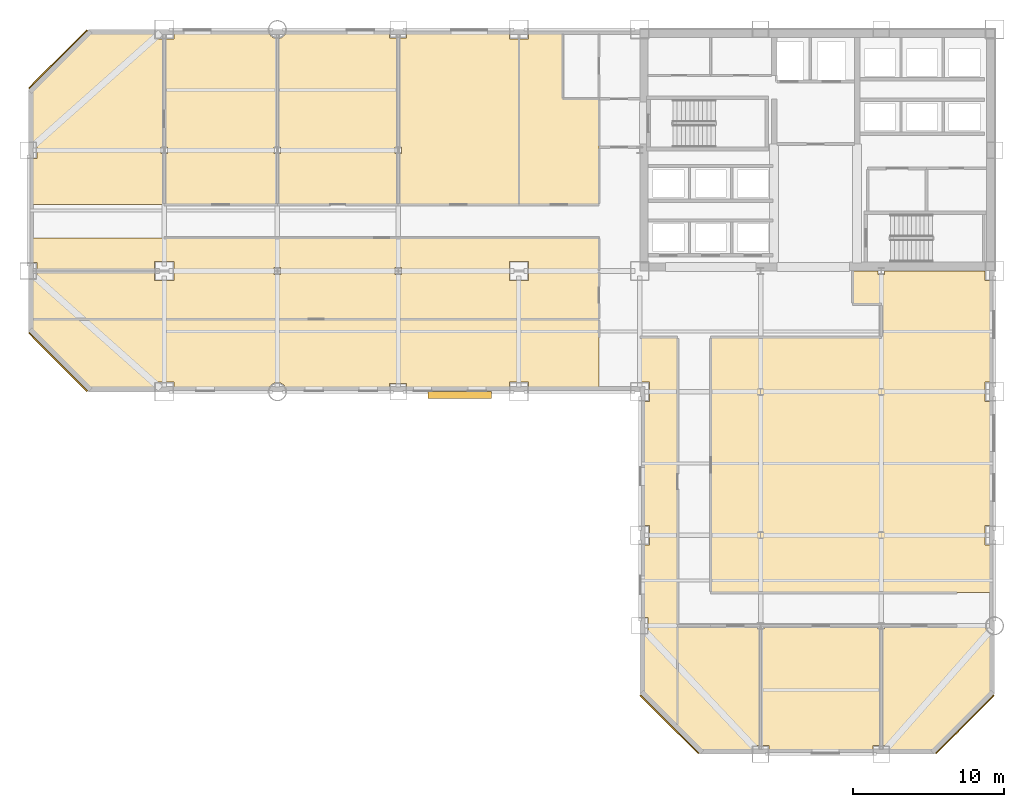
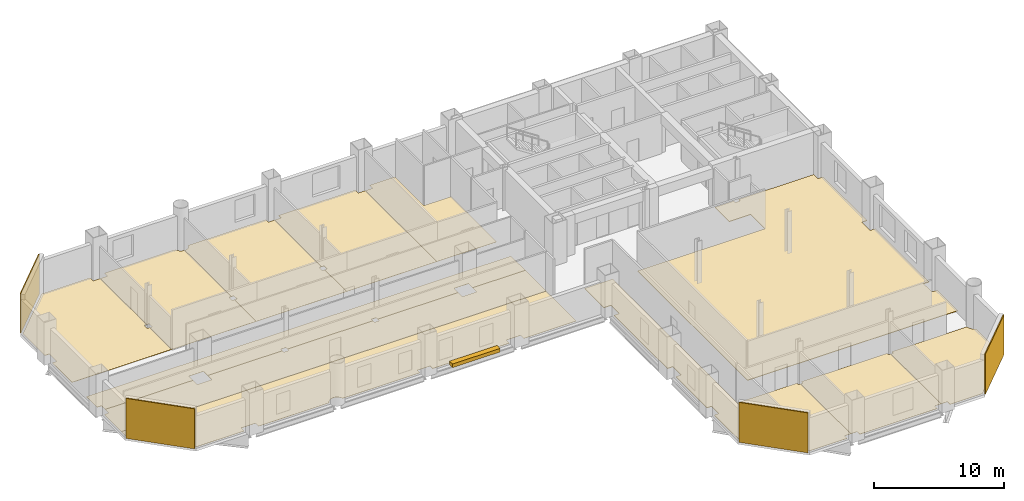
# One storey, part 8 of 9: 17 coverings, 1 shading device.
"""IFC4 building model written with IfcOpenShell, lengths in metres."""

from ifc_helpers import new_model, si_unit, direction, frame, origin, origin_2d, place, context, subcontext, project, spatial, polyline, rectangle, outline, extrude, material, layer, layer_set, type_object, element, save


model = new_model("IFC4")

# Units and contexts
model_context = context("Model", 3, precision=1e-05, world=origin(), true_north=direction((0.0, 1.0)))
body_context = subcontext(model_context, "Body", "Model", "MODEL_VIEW")
ifc_project = project(units=[si_unit("LENGTHUNIT", "METRE"), si_unit("AREAUNIT", "SQUARE_METRE"), si_unit("VOLUMEUNIT", "CUBIC_METRE"), si_unit("PLANEANGLEUNIT", "RADIAN"), si_unit("MASSUNIT", "GRAM", prefix="KILO")], contexts=[model_context])

# Site, building, storey
site_placement = place(None, origin())
site = spatial("IfcSite", under=ifc_project, at=site_placement, CompositionType="ELEMENT")
building_placement = place(site_placement, origin())
building = spatial("IfcBuilding", under=site, at=building_placement, Name="Qianrong Seaharbour Tower", CompositionType="ELEMENT")
storey_placement = place(building_placement, frame((0.0, 0.0, 52.199951171875)))
storey = spatial("IfcBuildingStorey", under=building, at=storey_placement, Name="L12", CompositionType="ELEMENT", Elevation=52.199951171875)

# Coverings
ifc_material_1 = material(Name="Unitised red brick cladding on Precast concrete C45/55", Category="masonry")
ifc_layer_1 = layer(ifc_material_1, 0.080078125)
ifc_layer_set_1 = layer_set([ifc_layer_1], Name="Unitised red brick cladding on Precast concrete C45/55")
covering_type_1 = type_object("IfcCoveringType", Name="COV-CLAD-RED-BRICK-80", PredefinedType="CLADDING", material=ifc_layer_set_1)
for number, where, z_axis, x_axis, name in (
    (1, (1.9716796875, 29.9716796875, 0.0), (0.0, 0.0, 1.0), (-0.707106781187, 0.707106781187, 0.0), "L12 Chamfer Corner Brick Cladding 02"),
    (2, (1.9716796875, 50.0283203125, 0.0), (0.0, 0.0, 1.0), (0.707106781187, 0.707106781187, 0.0), "L12 Chamfer Corner Brick Cladding 04"),
    (3, (62.0283203125, 5.9716796875, 0.0), (0.0, 0.0, 1.0), (-0.707106781187, -0.707106781187, 0.0), "L12 Chamfer Corner Brick Cladding 07"),
    (4, (42.4716796875, 5.9716796875, 0.0), (0.0, 0.0, 1.0), (-0.707106781187, 0.707106781187, 0.0), "L12 Chamfer Corner Brick Cladding 09"),
):
    element("IfcCovering", number, at=place(storey_placement, frame(where, z_axis=z_axis, x_axis=x_axis)), inside=storey, type_object=covering_type_1, Name=name, PredefinedType="CLADDING", context=body_context, shape_type="SweptSolid", body=[
        extrude(rectangle(XDim=5.456787109375, YDim=0.080078125, at=origin_2d()), origin(), (0.0, 0.0, 1.0), 3.75),
    ])
ifc_material_2 = material(Name="Acoustic modular carpet tile flooring")
ifc_layer_2 = layer(ifc_material_2, 0.02001953125)
ifc_layer_set_2 = layer_set([ifc_layer_2], Name="Acoustic modular carpet tile flooring")
covering_type_2 = type_object("IfcCoveringType", Name="COV-FLOOR-CARPET-20", PredefinedType="FLOORING", material=ifc_layer_set_2)
covering_1_placement = place(storey_placement, origin())
element("IfcCovering", 5, at=covering_1_placement, inside=storey, type_object=covering_type_2, Name="L12 Boardroom 1 Finish Flooring", PredefinedType="FLOORING", context=body_context, shape_type="SweptSolid", body=[
    extrude(outline(polyline([(0.1650390625, 43.43994140625), (0.56005859375, 43.43994140625), (0.56005859375, 44.56005859375), (0.1650390625, 44.56005859375), (0.1650390625, 47.931640625), (4.068359375, 51.8349609375), (8.364990234375, 51.8349609375), (8.364990234375, 51.364990234375), (9.0, 51.364990234375), (9.0, 44.22412109375), (8.78662109375, 44.22412109375), (8.78662109375, 43.77587890625), (9.0, 43.77587890625), (9.0, 40.39990234375), (0.1650390625, 40.39990234375), (0.1650390625, 43.43994140625)])), origin(), (0.0, 0.0, 1.0), 0.02001953125),
])
covering_2_placement = place(storey_placement, origin())
element("IfcCovering", 6, at=covering_2_placement, inside=storey, type_object=covering_type_2, Name="L12 Meeting Room 2 Finish Flooring", PredefinedType="FLOORING", context=body_context, shape_type="SweptSolid", body=[
    extrude(outline(polyline([(9.0, 43.77587890625), (9.21337890625, 43.77587890625), (9.21337890625, 44.22412109375), (9.0, 44.22412109375), (9.0, 51.364990234375), (9.635009765625, 51.364990234375), (9.635009765625, 51.8349609375), (15.915771484375, 51.8349609375), (15.936279296875, 51.7666015625), (15.992919921875, 51.6611328125), (16.068603515625, 51.568603515625), (16.1611328125, 51.492919921875), (16.2666015625, 51.436279296875), (16.381103515625, 51.401611328125), (16.5, 51.389892578125), (16.5, 44.22412109375), (16.28662109375, 44.22412109375), (16.28662109375, 43.77587890625), (16.5, 43.77587890625), (16.5, 40.39990234375), (9.0, 40.39990234375), (9.0, 43.77587890625)])), origin(), (0.0, 0.0, 1.0), 0.02001953125),
])
covering_3_placement = place(storey_placement, origin())
element("IfcCovering", 7, at=covering_3_placement, inside=storey, type_object=covering_type_2, Name="L12 Project Library 3 Finish Flooring", PredefinedType="FLOORING", context=body_context, shape_type="SweptSolid", body=[
    extrude(outline(polyline([(16.5, 43.77587890625), (16.71337890625, 43.77587890625), (16.71337890625, 44.22412109375), (16.5, 44.22412109375), (16.5, 51.389892578125), (16.618896484375, 51.401611328125), (16.7333984375, 51.436279296875), (16.8388671875, 51.492919921875), (16.931396484375, 51.568603515625), (17.007080078125, 51.6611328125), (17.063720703125, 51.7666015625), (17.084228515625, 51.8349609375), (23.93994140625, 51.8349609375), (23.93994140625, 51.43994140625), (24.5, 51.43994140625), (24.5, 44.22412109375), (24.28662109375, 44.22412109375), (24.28662109375, 43.77587890625), (24.5, 43.77587890625), (24.5, 40.39990234375), (16.5, 40.39990234375), (16.5, 43.77587890625)])), origin(), (0.0, 0.0, 1.0), 0.02001953125),
])
covering_4_placement = place(storey_placement, origin())
element("IfcCovering", 8, at=covering_4_placement, inside=storey, type_object=covering_type_2, Name="L12 Training Seminar Room 4 Finish Flooring", PredefinedType="FLOORING", context=body_context, shape_type="SweptSolid", body=[
    extrude(outline(polyline([(24.5, 43.77587890625), (24.71337890625, 43.77587890625), (24.71337890625, 44.22412109375), (24.5, 44.22412109375), (24.5, 51.43994140625), (25.06005859375, 51.43994140625), (25.06005859375, 51.8349609375), (31.864990234375, 51.8349609375), (31.864990234375, 51.364990234375), (32.5, 51.364990234375), (32.5, 40.39990234375), (24.5, 40.39990234375), (24.5, 43.77587890625)])), origin(), (0.0, 0.0, 1.0), 0.02001953125),
])
covering_5_placement = place(storey_placement, origin())
element("IfcCovering", 9, at=covering_5_placement, inside=storey, type_object=covering_type_2, Name="L12 Boardroom 5 Finish Flooring", PredefinedType="FLOORING", context=body_context, shape_type="SweptSolid", body=[
    extrude(outline(polyline([(32.5, 51.364990234375), (33.135009765625, 51.364990234375), (33.135009765625, 51.8349609375), (35.39990234375, 51.8349609375), (35.39990234375, 47.39990234375), (37.800048828125, 47.39990234375), (37.800048828125, 40.39990234375), (32.5, 40.39990234375), (32.5, 51.364990234375)])), origin(), (0.0, 0.0, 1.0), 0.02001953125),
])
covering_6_placement = place(storey_placement, origin())
element("IfcCovering", 10, at=covering_6_placement, inside=storey, type_object=covering_type_2, Name="L12 Harbour Lecture Hall 1 Finish Flooring", PredefinedType="FLOORING", context=body_context, shape_type="SweptSolid", body=[
    extrude(outline(polyline([(33.135009765625, 28.1650390625), (33.135009765625, 28.635009765625), (31.864990234375, 28.635009765625), (31.864990234375, 28.1650390625), (25.06005859375, 28.1650390625), (25.06005859375, 28.56005859375), (23.93994140625, 28.56005859375), (23.93994140625, 28.1650390625), (17.084228515625, 28.1650390625), (17.063720703125, 28.2333984375), (17.007080078125, 28.3388671875), (16.931396484375, 28.431396484375), (16.8388671875, 28.507080078125), (16.7333984375, 28.563720703125), (16.618896484375, 28.598388671875), (16.5, 28.610107421875), (16.381103515625, 28.598388671875), (16.2666015625, 28.563720703125), (16.1611328125, 28.507080078125), (16.068603515625, 28.431396484375), (15.992919921875, 28.3388671875), (15.936279296875, 28.2333984375), (15.915771484375, 28.1650390625), (9.635009765625, 28.1650390625), (9.635009765625, 28.635009765625), (8.364990234375, 28.635009765625), (8.364990234375, 28.1650390625), (4.068359375, 28.1650390625), (0.1650390625, 32.068359375), (0.1650390625, 32.800048828125), (37.800048828125, 32.800048828125), (37.800048828125, 28.1650390625), (33.135009765625, 28.1650390625)])), origin(), (0.0, 0.0, 1.0), 0.02001953125),
])
covering_7_placement = place(storey_placement, origin())
element("IfcCovering", 11, at=covering_7_placement, inside=storey, type_object=covering_type_2, Name="L12 Division Conference Gallery 2 Finish Flooring", PredefinedType="FLOORING", context=body_context, shape_type="SweptSolid", body=[
    extrude(outline(polyline([(0.1650390625, 32.800048828125), (0.1650390625, 35.43994140625), (0.56005859375, 35.43994140625), (0.56005859375, 36.0), (8.364990234375, 36.0), (8.364990234375, 35.364990234375), (9.635009765625, 35.364990234375), (9.635009765625, 36.0), (16.28662109375, 36.0), (16.28662109375, 35.77587890625), (16.71337890625, 35.77587890625), (16.71337890625, 36.0), (24.28662109375, 36.0), (24.28662109375, 35.77587890625), (24.71337890625, 35.77587890625), (24.71337890625, 36.0), (31.864990234375, 36.0), (31.864990234375, 35.364990234375), (33.135009765625, 35.364990234375), (33.135009765625, 36.0), (37.800048828125, 36.0), (37.800048828125, 32.800048828125), (0.1650390625, 32.800048828125)])), origin(), (0.0, 0.0, 1.0), 0.02001953125),
])
covering_8_placement = place(storey_placement, origin())
element("IfcCovering", 12, at=covering_8_placement, inside=storey, type_object=covering_type_2, Name="L12 Wet Pantry 3 Finish Flooring", PredefinedType="FLOORING", context=body_context, shape_type="SweptSolid", body=[
    extrude(outline(polyline([(33.135009765625, 36.0), (33.135009765625, 36.635009765625), (31.864990234375, 36.635009765625), (31.864990234375, 36.0), (24.71337890625, 36.0), (24.71337890625, 36.22412109375), (24.28662109375, 36.22412109375), (24.28662109375, 36.0), (16.71337890625, 36.0), (16.71337890625, 36.22412109375), (16.28662109375, 36.22412109375), (16.28662109375, 36.0), (9.635009765625, 36.0), (9.635009765625, 36.635009765625), (8.364990234375, 36.635009765625), (8.364990234375, 36.0), (0.56005859375, 36.0), (0.56005859375, 36.56005859375), (0.1650390625, 36.56005859375), (0.1650390625, 38.199951171875), (37.800048828125, 38.199951171875), (37.800048828125, 36.0), (33.135009765625, 36.0)])), origin(), (0.0, 0.0, 1.0), 0.02001953125),
])
covering_9_placement = place(storey_placement, origin())
element("IfcCovering", 13, at=covering_9_placement, inside=storey, type_object=covering_type_2, Name="L12 Maritime Seminar Room 1 Finish Flooring", PredefinedType="FLOORING", context=body_context, shape_type="SweptSolid", body=[
    extrude(outline(polyline([(48.5, 4.56005859375), (47.93994140625, 4.56005859375), (47.93994140625, 4.1650390625), (44.568359375, 4.1650390625), (43.0, 5.7333984375), (43.0, 12.5), (48.28662109375, 12.5), (48.28662109375, 12.27587890625), (48.5, 12.27587890625), (48.5, 4.56005859375)])), origin(), (0.0, 0.0, 1.0), 0.02001953125),
])
covering_10_placement = place(storey_placement, origin())
element("IfcCovering", 14, at=covering_10_placement, inside=storey, type_object=covering_type_2, Name="L12 Meeting Room 2 Finish Flooring", PredefinedType="FLOORING", context=body_context, shape_type="SweptSolid", body=[
    extrude(outline(polyline([(56.5, 4.56005859375), (55.93994140625, 4.56005859375), (55.93994140625, 4.1650390625), (49.06005859375, 4.1650390625), (49.06005859375, 4.56005859375), (48.5, 4.56005859375), (48.5, 12.27587890625), (48.71337890625, 12.27587890625), (48.71337890625, 12.5), (56.28662109375, 12.5), (56.28662109375, 12.27587890625), (56.5, 12.27587890625), (56.5, 4.56005859375)])), origin(), (0.0, 0.0, 1.0), 0.02001953125),
])
covering_11_placement = place(storey_placement, origin())
element("IfcCovering", 15, at=covering_11_placement, inside=storey, type_object=covering_type_2, Name="L12 Standards Library 3 Finish Flooring", PredefinedType="FLOORING", context=body_context, shape_type="SweptSolid", body=[
    extrude(outline(polyline([(63.8349609375, 8.068359375), (59.931640625, 4.1650390625), (57.06005859375, 4.1650390625), (57.06005859375, 4.56005859375), (56.5, 4.56005859375), (56.5, 12.27587890625), (56.71337890625, 12.27587890625), (56.71337890625, 12.5), (63.389892578125, 12.5), (63.401611328125, 12.381103515625), (63.436279296875, 12.2666015625), (63.492919921875, 12.1611328125), (63.568603515625, 12.068603515625), (63.6611328125, 11.992919921875), (63.7666015625, 11.936279296875), (63.8349609375, 11.915771484375), (63.8349609375, 8.068359375)])), origin(), (0.0, 0.0, 1.0), 0.02001953125),
])
ifc_material_3 = material(Name="Calcium-sulphate raised access floor tile")
ifc_layer_3 = layer(ifc_material_3, 0.044921875)
ifc_layer_set_3 = layer_set([ifc_layer_3], Name="Calcium-sulphate raised access floor tile")
covering_type_3 = type_object("IfcCoveringType", Name="COV-FLOOR-RAISED-45", PredefinedType="FLOORING", material=ifc_layer_set_3)
covering_12_placement = place(storey_placement, origin())
element("IfcCovering", 16, at=covering_12_placement, inside=storey, type_object=covering_type_3, Name="L12 South Wing Open-Plan Office Finish Flooring", PredefinedType="FLOORING", context=body_context, shape_type="SweptSolid", body=[
    extrude(outline(polyline([(56.5, 31.60009765625), (56.5, 33.800048828125), (54.60009765625, 33.800048828125), (54.60009765625, 36.0), (56.28662109375, 36.0), (56.28662109375, 35.77587890625), (56.71337890625, 35.77587890625), (56.71337890625, 36.0), (63.364990234375, 36.0), (63.364990234375, 35.364990234375), (63.8349609375, 35.364990234375), (63.8349609375, 28.635009765625), (63.364990234375, 28.635009765625), (63.364990234375, 27.364990234375), (63.8349609375, 27.364990234375), (63.8349609375, 19.135009765625), (63.364990234375, 19.135009765625), (63.364990234375, 17.864990234375), (63.8349609375, 17.864990234375), (63.8349609375, 14.699951171875), (45.199951171875, 14.699951171875), (45.199951171875, 31.60009765625), (56.5, 31.60009765625)])), origin(), (0.0, 0.0, 1.0), 0.045166015625),
])
covering_13_placement = place(storey_placement, origin())
element("IfcCovering", 17, at=covering_13_placement, inside=storey, type_object=covering_type_3, Name="L12 West Spine Open-Plan Office Finish Flooring", PredefinedType="FLOORING", context=body_context, shape_type="SweptSolid", body=[
    extrude(outline(polyline([(43.0, 5.7333984375), (40.6650390625, 8.068359375), (40.6650390625, 11.93994140625), (41.06005859375, 11.93994140625), (41.06005859375, 13.06005859375), (40.6650390625, 13.06005859375), (40.6650390625, 17.864990234375), (41.135009765625, 17.864990234375), (41.135009765625, 19.135009765625), (40.6650390625, 19.135009765625), (40.6650390625, 27.364990234375), (41.135009765625, 27.364990234375), (41.135009765625, 28.635009765625), (40.5, 28.635009765625), (40.5, 31.60009765625), (43.0, 31.60009765625), (43.0, 5.7333984375)])), origin(), (0.0, 0.0, 1.0), 0.045166015625),
])

# Shading device
ifc_material_4 = material(Name="White architectural precast concrete C45/55", Category="concrete")
shading_device_type = type_object("IfcShadingDeviceType", Name="SHD-SUNSHADE-WHITE-320", PredefinedType="AWNING", material=ifc_material_4)
shading_device_placement = place(storey_placement, frame((28.574951171875, 27.780029296875, -0.02001953125), z_axis=(0.0, 0.0, 1.0), x_axis=(1.0, 0.0, 0.0)))
element("IfcShadingDevice", 18, at=shading_device_placement, inside=storey, type_object=shading_device_type, Name="L12 Climbing White Precast Ribbon Canopy Fin", PredefinedType="AWNING", context=body_context, shape_type="SweptSolid", body=[
    extrude(rectangle(XDim=4.199951171875, YDim=0.4599609375, at=origin_2d()), origin(), (0.0, 0.0, 1.0), 0.340087890625),
])

save(model, "model.ifc")
